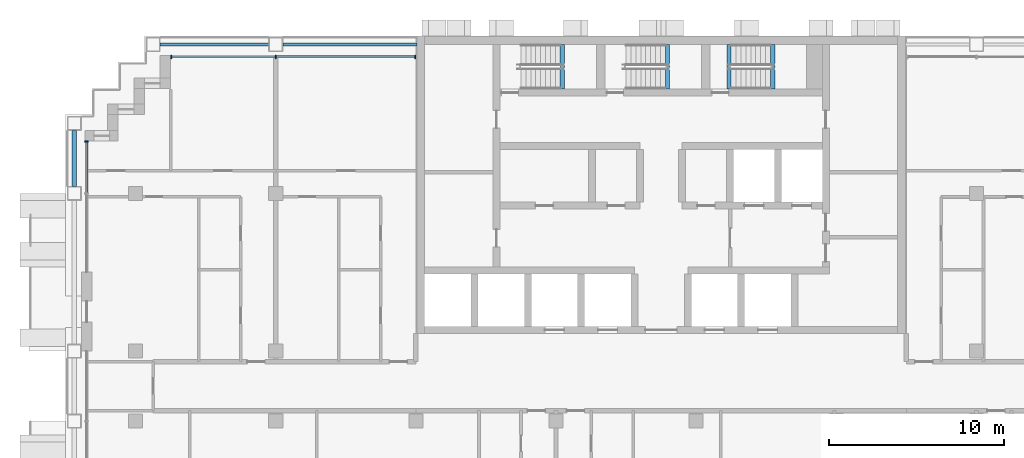
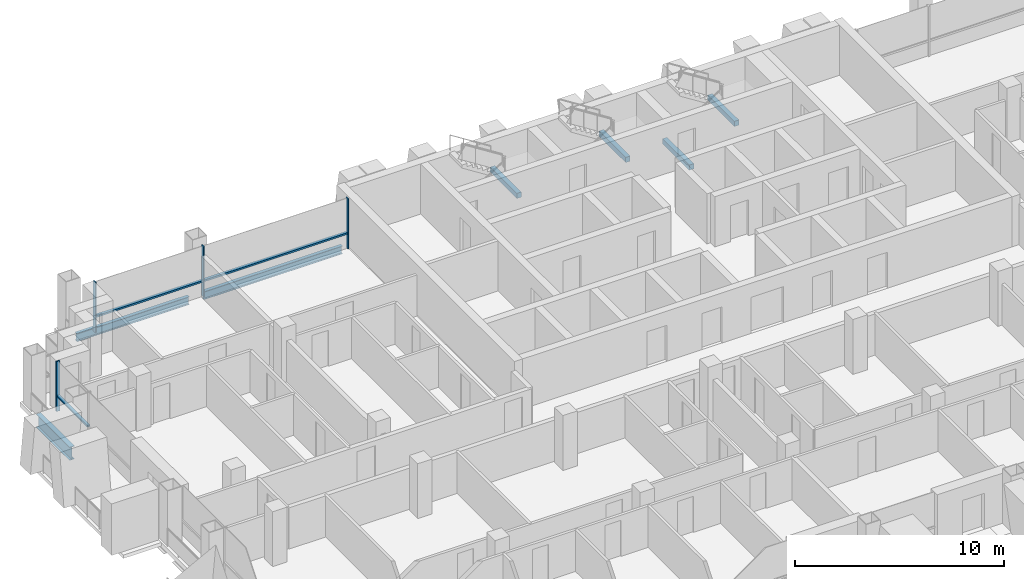
# One storey, part 4 of 16: 7 beams, 7 members, 2 elements without a shape of their own.
"""IFC4 building model written with IfcOpenShell, lengths in metres."""

from ifc_helpers import new_model, si_unit, direction, frame, origin, origin_2d, place, context, subcontext, project, spatial, rectangle, i_section, extrude, material, material_profile, profile_set, type_object, element, aggregate, save


model = new_model("IFC4")

# Units and contexts
model_context = context("Model", 3, precision=1e-05, world=origin(), true_north=direction((0.0, 1.0)))
body_context = subcontext(model_context, "Body", "Model", "MODEL_VIEW")
ifc_project = project(units=[si_unit("LENGTHUNIT", "METRE"), si_unit("AREAUNIT", "SQUARE_METRE"), si_unit("VOLUMEUNIT", "CUBIC_METRE"), si_unit("PLANEANGLEUNIT", "RADIAN"), si_unit("MASSUNIT", "GRAM", prefix="KILO")], contexts=[model_context])

# Site, building, storey
site_placement = place(None, origin())
site = spatial("IfcSite", under=ifc_project, at=site_placement, CompositionType="ELEMENT")
building_placement = place(site_placement, origin())
building = spatial("IfcBuilding", under=site, at=building_placement, Name="Vidyagriha Tower", CompositionType="ELEMENT")
storey_placement = place(building_placement, frame((0.0, 0.0, 145.39990234375)))
storey = spatial("IfcBuildingStorey", under=building, at=storey_placement, Name="L38", CompositionType="ELEMENT", Elevation=145.39990234375)

# Beams
ifc_material_1 = material(Name="Steel ASTM A992 Grade 50", Category="steel")
ifc_material_profile_1 = material_profile(ifc_material_1, i_section(OverallWidth=0.2666015625, OverallDepth=0.76953125, WebThickness=0.015625, FlangeThickness=0.025390625, at=origin_2d()), Name="W30X132")
ifc_profile_set_1 = profile_set([ifc_material_profile_1], Name="Steel ASTM A992 Grade 50")
beam_type_1 = type_object("IfcBeamType", Name="Cantilever edge beam W30X132", PredefinedType="SPANDREL", material=ifc_profile_set_1)
beam_1_placement = place(storey_placement, frame((-33.5, 11.39990234375, -0.664794921875), z_axis=(0.0, 1.0, 0.0), x_axis=(-1.0, 0.0, 0.0)))
element("IfcBeam", 1, at=beam_1_placement, inside=storey, type_object=beam_type_1, Name="st-beam-L38-W13", PredefinedType="SPANDREL", context=body_context, shape_type="SweptSolid", body=[
    extrude(i_section(OverallWidth=0.2666015625, OverallDepth=0.76953125, WebThickness=0.015625, FlangeThickness=0.025390625, at=origin_2d()), origin(), (0.0, 0.0, 1.0), 3.2001953125),
])
ifc_material_2 = material(Name="Steel ASTM A992 Grade 50", Category="steel")
ifc_material_profile_2 = material_profile(ifc_material_2, i_section(OverallWidth=0.19189453125, OverallDepth=0.46240234375, WebThickness=0.010498046875, FlangeThickness=0.017578125, at=origin_2d()), Name="W18X60")
ifc_profile_set_2 = profile_set([ifc_material_profile_2], Name="Steel ASTM A992 Grade 50")
beam_type_2 = type_object("IfcBeamType", Name="Edge beam W18X60", PredefinedType="SPANDREL", material=ifc_profile_set_2)
beam_2_placement = place(storey_placement, frame((-28.60009765625, 19.5, -0.510986328125), z_axis=(1.0, 0.0, 0.0), x_axis=(0.0, 1.0, 0.0)))
element("IfcBeam", 2, at=beam_2_placement, inside=storey, type_object=beam_type_2, Name="st-beam-L38-NW19", PredefinedType="SPANDREL", context=body_context, shape_type="SweptSolid", body=[
    extrude(i_section(OverallWidth=0.19189453125, OverallDepth=0.46240234375, WebThickness=0.010498046875, FlangeThickness=0.017578125, at=origin_2d()), origin(), (0.0, 0.0, 1.0), 6.2001953125),
])
beam_3_placement = place(storey_placement, frame((-21.60009765625, 19.5, -0.510986328125), z_axis=(1.0, 0.0, 0.0), x_axis=(0.0, 1.0, 0.0)))
element("IfcBeam", 3, at=beam_3_placement, inside=storey, type_object=beam_type_2, Name="st-beam-L38-NC22", PredefinedType="SPANDREL", context=body_context, shape_type="SweptSolid", body=[
    extrude(i_section(OverallWidth=0.19189453125, OverallDepth=0.46240234375, WebThickness=0.010498046875, FlangeThickness=0.017578125, at=origin_2d()), origin(), (0.0, 0.0, 1.0), 7.650146484375),
])

# Curtain wall, members
ifc_material_3 = material(Name="Aluminium and glass curtain wall", Category="aluminium")
curtain_wall_type = type_object("IfcCurtainWallType", Name="Dwelling skin unitised curtain wall", PredefinedType="USERDEFINED", material=ifc_material_3)
curtain_wall_1_placement = place(storey_placement, origin())
curtain_wall_1 = element("IfcCurtainWall", 4, at=curtain_wall_1_placement, inside=storey, type_object=curtain_wall_type, Name="CW1 dwelling skin", ObjectType="UNITISED", PredefinedType="USERDEFINED")
ifc_material_4 = material(Name="Aluminium black anodised", Category="aluminium")
ifc_material_profile_3 = material_profile(ifc_material_4, rectangle(XDim=0.199951171875, YDim=0.070068359375, at=origin_2d()), Name="Mullion 70x200 black aluminium")
ifc_profile_set_3 = profile_set([ifc_material_profile_3], Name="Aluminium black anodised")
member_type_1 = type_object("IfcMemberType", Name="Mullion 70x200 black aluminium", PredefinedType="MULLION", material=ifc_profile_set_3)
member_1_placement = place(storey_placement, frame((-14.034912109375, 18.800048828125, 0.0), z_axis=(0.0, 0.0, 1.0), x_axis=(0.0, -1.0, 0.0)))
member_1 = element("IfcMember", 5, at=member_1_placement, type_object=member_type_1, Name="CW1 mullion 1", PredefinedType="MULLION", context=body_context, shape_type="SweptSolid", body=[
    extrude(rectangle(XDim=0.199951171875, YDim=0.070068359375, at=origin_2d()), origin(), (0.0, 0.0, 1.0), 2.920166015625),
])
member_2_placement = place(storey_placement, frame((-22.0, 18.800048828125, 0.0), z_axis=(0.0, 0.0, 1.0), x_axis=(0.0, -1.0, 0.0)))
member_2 = element("IfcMember", 6, at=member_2_placement, type_object=member_type_1, Name="CW1 mullion 2", PredefinedType="MULLION", context=body_context, shape_type="SweptSolid", body=[
    extrude(rectangle(XDim=0.199951171875, YDim=0.070068359375, at=origin_2d()), origin(), (0.0, 0.0, 1.0), 2.920166015625),
])
member_3_placement = place(storey_placement, frame((-27.965087890625, 18.800048828125, 0.0), z_axis=(0.0, 0.0, 1.0), x_axis=(0.0, -1.0, 0.0)))
member_3 = element("IfcMember", 7, at=member_3_placement, type_object=member_type_1, Name="CW1 mullion 3", PredefinedType="MULLION", context=body_context, shape_type="SweptSolid", body=[
    extrude(rectangle(XDim=0.199951171875, YDim=0.070068359375, at=origin_2d()), origin(), (0.0, 0.0, 1.0), 2.920166015625),
])

# Curtain wall, member
curtain_wall_2_placement = place(storey_placement, origin())
curtain_wall_2 = element("IfcCurtainWall", 8, at=curtain_wall_2_placement, inside=storey, type_object=curtain_wall_type, Name="CW1 dwelling skin", ObjectType="UNITISED", PredefinedType="USERDEFINED")
member_4_placement = place(storey_placement, frame((-32.800048828125, 13.965087890625, 0.0)))
member_4 = element("IfcMember", 9, at=member_4_placement, type_object=member_type_1, Name="CW1 mullion 1", PredefinedType="MULLION", context=body_context, shape_type="SweptSolid", body=[
    extrude(rectangle(XDim=0.199951171875, YDim=0.070068359375, at=origin_2d()), origin(), (0.0, 0.0, 1.0), 2.920166015625),
])

# Beams
ifc_material_5 = material(Name="Concrete C40/50", Category="concrete")
ifc_material_profile_4 = material_profile(ifc_material_5, rectangle(XDim=0.25, YDim=0.300048828125, at=origin_2d()), Name="Stair landing bearing beam 250x300")
ifc_profile_set_4 = profile_set([ifc_material_profile_4], Name="Concrete C40/50")
beam_type_3 = type_object("IfcBeamType", Name="Stair landing bearing beam 250x300", PredefinedType="BEAM", material=ifc_profile_set_4)
for number, where, z_axis, x_axis, name in (
    (10, (3.875, 16.949951171875, -0.429931640625), (0.0, 1.0, 0.0), (-1.0, 0.0, 0.0), "ST3 floor landing bearing beam L38"),
    (11, (-5.635009765625, 16.949951171875, 1.25), (0.0, 1.0, 0.0), (-1.0, 0.0, 0.0), "ST1 landing bearing beam L38"),
    (12, (0.364990234375, 16.949951171875, 1.25), (0.0, 1.0, 0.0), (-1.0, 0.0, 0.0), "ST2 landing bearing beam L38"),
    (13, (6.364990234375, 16.949951171875, 1.25), (0.0, 1.0, 0.0), (-1.0, 0.0, 0.0), "ST3 landing bearing beam L38"),
):
    element("IfcBeam", number, at=place(storey_placement, frame(where, z_axis=z_axis, x_axis=x_axis)), inside=storey, type_object=beam_type_3, Name=name, PredefinedType="BEAM", context=body_context, shape_type="SweptSolid", body=[
        extrude(rectangle(XDim=0.25, YDim=0.300048828125, at=origin_2d()), origin(), (0.0, 0.0, 1.0), 2.550048828125),
    ])

# Member
ifc_material_6 = material(Name="Aluminium black anodised", Category="aluminium")
ifc_material_profile_5 = material_profile(ifc_material_6, rectangle(XDim=0.159912109375, YDim=0.10009765625, at=origin_2d()), Name="Transom 100x160 black aluminium")
ifc_profile_set_5 = profile_set([ifc_material_profile_5], Name="Aluminium black anodised")
member_type_2 = type_object("IfcMemberType", Name="Transom 100x160 black aluminium", PredefinedType="USERDEFINED", material=ifc_profile_set_5)
member_5_placement = place(storey_placement, frame((-14.070068359375, 18.800048828125, 0.900146484375), z_axis=(-1.0, 0.0, 0.0), x_axis=(0.0, -1.0, 0.0)))
member_5 = element("IfcMember", 14, at=member_5_placement, type_object=member_type_2, Name="CW1 transom 1.1", ObjectType="TRANSOM", PredefinedType="USERDEFINED", context=body_context, shape_type="SweptSolid", body=[
    extrude(rectangle(XDim=0.159912109375, YDim=0.10009765625, at=origin_2d()), origin(), (0.0, 0.0, 1.0), 7.89501953125),
])

member_6_placement = place(storey_placement, frame((-22.034912109375, 18.800048828125, 0.900146484375), z_axis=(-1.0, 0.0, 0.0), x_axis=(0.0, -1.0, 0.0)))
member_6 = element("IfcMember", 15, at=member_6_placement, type_object=member_type_2, Name="CW1 transom 2.1", ObjectType="TRANSOM", PredefinedType="USERDEFINED", context=body_context, shape_type="SweptSolid", body=[
    extrude(rectangle(XDim=0.159912109375, YDim=0.10009765625, at=origin_2d()), origin(), (0.0, 0.0, 1.0), 5.89501953125),
])

aggregate(curtain_wall_1, [member_1, member_2, member_3, member_5, member_6])

member_7_placement = place(storey_placement, frame((-32.800048828125, 13.929931640625, 0.900146484375), z_axis=(0.0, -1.0, 0.0), x_axis=(1.0, 0.0, 0.0)))
member_7 = element("IfcMember", 16, at=member_7_placement, type_object=member_type_2, Name="CW1 transom 1.1", ObjectType="TRANSOM", PredefinedType="USERDEFINED", context=body_context, shape_type="SweptSolid", body=[
    extrude(rectangle(XDim=0.159912109375, YDim=0.10009765625, at=origin_2d()), origin(), (0.0, 0.0, 1.0), 2.89501953125),
])

aggregate(curtain_wall_2, [member_4, member_7])

save(model, "model.ifc")
